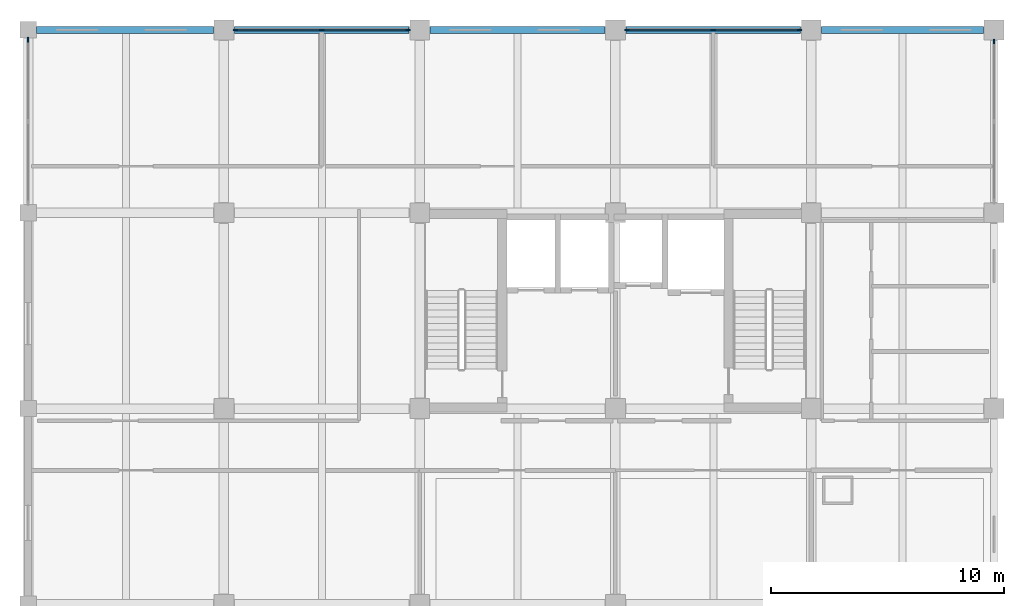
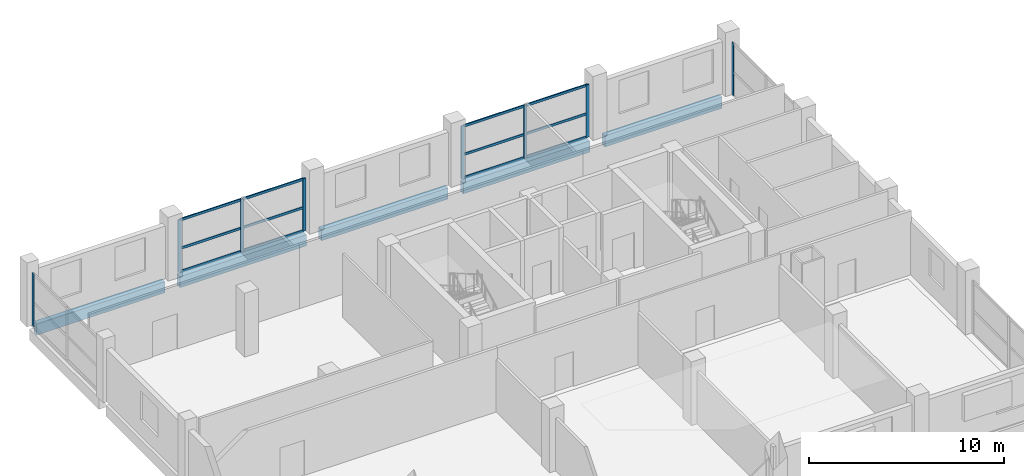
# One storey, part 5 of 11: 20 members, 5 beams, 4 elements without a shape of their own.
"""IFC4 building model written with IfcOpenShell, lengths in metres."""

from ifc_helpers import new_model, si_unit, direction, frame, origin, origin_2d, place, context, subcontext, project, spatial, rectangle, extrude, material, material_profile, profile_set, type_object, element, aggregate, save


model = new_model("IFC4")

# Units and contexts
model_context = context("Model", 3, precision=1e-05, world=origin(), true_north=direction((0.0, 1.0)))
body_context = subcontext(model_context, "Body", "Model", "MODEL_VIEW")
ifc_project = project(units=[si_unit("LENGTHUNIT", "METRE"), si_unit("AREAUNIT", "SQUARE_METRE"), si_unit("VOLUMEUNIT", "CUBIC_METRE"), si_unit("PLANEANGLEUNIT", "RADIAN"), si_unit("MASSUNIT", "GRAM", prefix="KILO")], contexts=[model_context])

# Site, building, storey
site_placement = place(None, origin())
site = spatial("IfcSite", under=ifc_project, at=site_placement, CompositionType="ELEMENT")
building_placement = place(site_placement, origin())
building = spatial("IfcBuilding", under=site, at=building_placement, Name="Brinegate Botanical Conservatory", CompositionType="ELEMENT")
storey_placement = place(building_placement, frame((0.0, 0.0, 23.39990234375)))
storey = spatial("IfcBuildingStorey", under=building, at=storey_placement, Name="L06", CompositionType="ELEMENT", Elevation=23.39990234375)

# Beams
ifc_material_1 = material(Name="Concrete C40/50", Category="concrete")
ifc_material_profile_1 = material_profile(ifc_material_1, rectangle(XDim=0.300048828125, YDim=0.699951171875, at=origin_2d()), Name="RC SPN 300x700")
ifc_profile_set_1 = profile_set([ifc_material_profile_1], Name="Concrete C40/50")
beam_type = type_object("IfcBeamType", Name="Beam_SP-02", PredefinedType="SPANDREL", material=ifc_profile_set_1)
beam_1_placement = place(storey_placement, frame((122.35009765625, 111.449951171875, -0.52978515625), z_axis=(1.0, 0.0, 0.0), x_axis=(0.0, 1.0, 0.0)))
element("IfcBeam", 1, at=beam_1_placement, inside=storey, type_object=beam_type, Name="Beam SP-02 L06 P:16-17", PredefinedType="SPANDREL", context=body_context, shape_type="SweptSolid", body=[
    extrude(rectangle(XDim=0.300048828125, YDim=0.699951171875, at=origin_2d()), origin(), (0.0, 0.0, 1.0), 7.599853515625),
])
for number, where, z_axis, x_axis, name in (
    (2, (130.85009765625, 111.449951171875, -0.52978515625), (1.0, 0.0, 0.0), (0.0, 1.0, 0.0), "Beam SP-02 L06 P:17-18"),
    (3, (139.25, 111.449951171875, -0.52978515625), (1.0, 0.0, 0.0), (0.0, 1.0, 0.0), "Beam SP-02 L06 P:18-19"),
    (4, (147.64990234375, 111.449951171875, -0.52978515625), (1.0, 0.0, 0.0), (0.0, 1.0, 0.0), "Beam SP-02 L06 P:19-20"),
):
    element("IfcBeam", number, at=place(storey_placement, frame(where, z_axis=z_axis, x_axis=x_axis)), inside=storey, type_object=beam_type, Name=name, PredefinedType="SPANDREL", context=body_context, shape_type="SweptSolid", body=[
        extrude(rectangle(XDim=0.300048828125, YDim=0.699951171875, at=origin_2d()), origin(), (0.0, 0.0, 1.0), 7.5),
    ])
beam_2_placement = place(storey_placement, frame((156.050048828125, 111.449951171875, -0.52978515625), z_axis=(1.0, 0.0, 0.0), x_axis=(0.0, 1.0, 0.0)))
element("IfcBeam", 5, at=beam_2_placement, inside=storey, type_object=beam_type, Name="Beam SP-02 L06 P:20-21", PredefinedType="SPANDREL", context=body_context, shape_type="SweptSolid", body=[
    extrude(rectangle(XDim=0.300048828125, YDim=0.699951171875, at=origin_2d()), origin(), (0.0, 0.0, 1.0), 6.949951171875),
])

# Curtain wall, members
ifc_material_2 = material(Name="Thermally broken anodised aluminium AW-6063-T6", Category="aluminium")
curtain_wall_type = type_object("IfcCurtainWallType", Name="CW_CW-TW1", PredefinedType="USERDEFINED", material=ifc_material_2)
curtain_wall_1_placement = place(storey_placement, origin())
curtain_wall_1 = element("IfcCurtainWall", 6, at=curtain_wall_1_placement, inside=storey, type_object=curtain_wall_type, Name="Research lab north curtain wall L06.2", ObjectType="FACTORY CURTAIN WALL", PredefinedType="USERDEFINED")
ifc_material_profile_2 = material_profile(ifc_material_2, rectangle(XDim=0.070068359375, YDim=0.199951171875, at=origin_2d()), Name="ALUM MULLION 70x200")
ifc_profile_set_2 = profile_set([ifc_material_profile_2], Name="Thermally broken anodised aluminium AW-6063-T6")
member_type_1 = type_object("IfcMemberType", Name="Member_ML-03", PredefinedType="MULLION", material=ifc_profile_set_2)
member_1_placement = place(storey_placement, frame((130.89990234375, 111.449951171875, 0.0), z_axis=(0.0, 0.0, 1.0), x_axis=(0.0, 1.0, 0.0)))
member_1 = element("IfcMember", 7, at=member_1_placement, type_object=member_type_1, Name="CW-TW1 mullion 1", PredefinedType="MULLION", context=body_context, shape_type="SweptSolid", body=[
    extrude(rectangle(XDim=0.070068359375, YDim=0.199951171875, at=origin_2d()), origin(), (0.0, 0.0, 1.0), 3.300048828125),
])
member_2_placement = place(storey_placement, frame((134.60009765625, 111.449951171875, 0.0), z_axis=(0.0, 0.0, 1.0), x_axis=(0.0, 1.0, 0.0)))
member_2 = element("IfcMember", 8, at=member_2_placement, type_object=member_type_1, Name="CW-TW1 mullion 2", PredefinedType="MULLION", context=body_context, shape_type="SweptSolid", body=[
    extrude(rectangle(XDim=0.070068359375, YDim=0.199951171875, at=origin_2d()), origin(), (0.0, 0.0, 1.0), 3.300048828125),
])
member_3_placement = place(storey_placement, frame((138.300048828125, 111.449951171875, 0.0), z_axis=(0.0, 0.0, 1.0), x_axis=(0.0, 1.0, 0.0)))
member_3 = element("IfcMember", 9, at=member_3_placement, type_object=member_type_1, Name="CW-TW1 mullion 3", PredefinedType="MULLION", context=body_context, shape_type="SweptSolid", body=[
    extrude(rectangle(XDim=0.070068359375, YDim=0.199951171875, at=origin_2d()), origin(), (0.0, 0.0, 1.0), 3.300048828125),
])

curtain_wall_2_placement = place(storey_placement, origin())
curtain_wall_2 = element("IfcCurtainWall", 10, at=curtain_wall_2_placement, inside=storey, type_object=curtain_wall_type, Name="Research lab north curtain wall L06.4", ObjectType="FACTORY CURTAIN WALL", PredefinedType="USERDEFINED")
member_4_placement = place(storey_placement, frame((147.699951171875, 111.449951171875, 0.0), z_axis=(0.0, 0.0, 1.0), x_axis=(0.0, 1.0, 0.0)))
member_4 = element("IfcMember", 11, at=member_4_placement, type_object=member_type_1, Name="CW-TW1 mullion 1", PredefinedType="MULLION", context=body_context, shape_type="SweptSolid", body=[
    extrude(rectangle(XDim=0.070068359375, YDim=0.199951171875, at=origin_2d()), origin(), (0.0, 0.0, 1.0), 3.300048828125),
])
member_5_placement = place(storey_placement, frame((151.39990234375, 111.449951171875, 0.0), z_axis=(0.0, 0.0, 1.0), x_axis=(0.0, 1.0, 0.0)))
member_5 = element("IfcMember", 12, at=member_5_placement, type_object=member_type_1, Name="CW-TW1 mullion 2", PredefinedType="MULLION", context=body_context, shape_type="SweptSolid", body=[
    extrude(rectangle(XDim=0.070068359375, YDim=0.199951171875, at=origin_2d()), origin(), (0.0, 0.0, 1.0), 3.300048828125),
])
member_6_placement = place(storey_placement, frame((155.10009765625, 111.449951171875, 0.0), z_axis=(0.0, 0.0, 1.0), x_axis=(0.0, 1.0, 0.0)))
member_6 = element("IfcMember", 13, at=member_6_placement, type_object=member_type_1, Name="CW-TW1 mullion 3", PredefinedType="MULLION", context=body_context, shape_type="SweptSolid", body=[
    extrude(rectangle(XDim=0.070068359375, YDim=0.199951171875, at=origin_2d()), origin(), (0.0, 0.0, 1.0), 3.300048828125),
])

# Curtain wall, member
curtain_wall_3_placement = place(storey_placement, origin())
curtain_wall_3 = element("IfcCurtainWall", 14, at=curtain_wall_3_placement, inside=storey, type_object=curtain_wall_type, Name="Tower east curtain wall L06.4", ObjectType="FACTORY CURTAIN WALL", PredefinedType="USERDEFINED")
member_7_placement = place(storey_placement, frame((163.449951171875, 110.949951171875, 0.0), z_axis=(0.0, 0.0, 1.0), x_axis=(1.0, 0.0, 0.0)))
member_7 = element("IfcMember", 15, at=member_7_placement, type_object=member_type_1, Name="CW-TW1 mullion 1", PredefinedType="MULLION", context=body_context, shape_type="SweptSolid", body=[
    extrude(rectangle(XDim=0.070068359375, YDim=0.199951171875, at=origin_2d()), origin(), (0.0, 0.0, 1.0), 3.300048828125),
])
aggregate(curtain_wall_3, [member_7])

curtain_wall_4_placement = place(storey_placement, origin())
curtain_wall_4 = element("IfcCurtainWall", 16, at=curtain_wall_4_placement, inside=storey, type_object=curtain_wall_type, Name="Tower north-west curtain wall L06", ObjectType="FACTORY CURTAIN WALL", PredefinedType="USERDEFINED")
member_8_placement = place(storey_placement, frame((122.0, 111.02490234375, 0.0), z_axis=(0.0, 0.0, 1.0), x_axis=(-1.0, 0.0, 0.0)))
member_8 = element("IfcMember", 17, at=member_8_placement, type_object=member_type_1, Name="CW-TW1 mullion 3", PredefinedType="MULLION", context=body_context, shape_type="SweptSolid", body=[
    extrude(rectangle(XDim=0.070068359375, YDim=0.199951171875, at=origin_2d()), origin(), (0.0, 0.0, 1.0), 3.300048828125),
])
aggregate(curtain_wall_4, [member_8])

# Member
ifc_material_profile_3 = material_profile(ifc_material_2, rectangle(XDim=0.070068359375, YDim=0.14990234375, at=origin_2d()), Name="ALUM TRANSOM 70x150")
ifc_profile_set_3 = profile_set([ifc_material_profile_3], Name="Thermally broken anodised aluminium AW-6063-T6")
member_type_2 = type_object("IfcMemberType", Name="Member_TR-03", PredefinedType="USERDEFINED", material=ifc_profile_set_3)
member_9_placement = place(storey_placement, frame((130.93505859375, 111.449951171875, 0.03515625), z_axis=(1.0, 0.0, 0.0), x_axis=(0.0, 1.0, 0.0)))
member_9 = element("IfcMember", 18, at=member_9_placement, type_object=member_type_2, Name="CW-TW1 transom 1.1", ObjectType="TRANSOM", PredefinedType="USERDEFINED", context=body_context, shape_type="SweptSolid", body=[
    extrude(rectangle(XDim=0.070068359375, YDim=0.14990234375, at=origin_2d()), origin(), (0.0, 0.0, 1.0), 3.6298828125),
])

member_10_placement = place(storey_placement, frame((130.93505859375, 111.449951171875, 1.485107421875), z_axis=(1.0, 0.0, 0.0), x_axis=(0.0, 1.0, 0.0)))
member_10 = element("IfcMember", 19, at=member_10_placement, type_object=member_type_2, Name="CW-TW1 transom 1.2", ObjectType="TRANSOM", PredefinedType="USERDEFINED", context=body_context, shape_type="SweptSolid", body=[
    extrude(rectangle(XDim=0.070068359375, YDim=0.14990234375, at=origin_2d()), origin(), (0.0, 0.0, 1.0), 3.6298828125),
])

member_11_placement = place(storey_placement, frame((130.93505859375, 111.449951171875, 3.26513671875), z_axis=(1.0, 0.0, 0.0), x_axis=(0.0, 1.0, 0.0)))
member_11 = element("IfcMember", 20, at=member_11_placement, type_object=member_type_2, Name="CW-TW1 transom 1.3", ObjectType="TRANSOM", PredefinedType="USERDEFINED", context=body_context, shape_type="SweptSolid", body=[
    extrude(rectangle(XDim=0.070068359375, YDim=0.14990234375, at=origin_2d()), origin(), (0.0, 0.0, 1.0), 3.6298828125),
])

member_12_placement = place(storey_placement, frame((134.635009765625, 111.449951171875, 0.03515625), z_axis=(1.0, 0.0, 0.0), x_axis=(0.0, 1.0, 0.0)))
member_12 = element("IfcMember", 21, at=member_12_placement, type_object=member_type_2, Name="CW-TW1 transom 2.1", ObjectType="TRANSOM", PredefinedType="USERDEFINED", context=body_context, shape_type="SweptSolid", body=[
    extrude(rectangle(XDim=0.070068359375, YDim=0.14990234375, at=origin_2d()), origin(), (0.0, 0.0, 1.0), 3.6298828125),
])

member_13_placement = place(storey_placement, frame((134.635009765625, 111.449951171875, 1.485107421875), z_axis=(1.0, 0.0, 0.0), x_axis=(0.0, 1.0, 0.0)))
member_13 = element("IfcMember", 22, at=member_13_placement, type_object=member_type_2, Name="CW-TW1 transom 2.2", ObjectType="TRANSOM", PredefinedType="USERDEFINED", context=body_context, shape_type="SweptSolid", body=[
    extrude(rectangle(XDim=0.070068359375, YDim=0.14990234375, at=origin_2d()), origin(), (0.0, 0.0, 1.0), 3.6298828125),
])

member_14_placement = place(storey_placement, frame((134.635009765625, 111.449951171875, 3.26513671875), z_axis=(1.0, 0.0, 0.0), x_axis=(0.0, 1.0, 0.0)))
member_14 = element("IfcMember", 23, at=member_14_placement, type_object=member_type_2, Name="CW-TW1 transom 2.3", ObjectType="TRANSOM", PredefinedType="USERDEFINED", context=body_context, shape_type="SweptSolid", body=[
    extrude(rectangle(XDim=0.070068359375, YDim=0.14990234375, at=origin_2d()), origin(), (0.0, 0.0, 1.0), 3.6298828125),
])

aggregate(curtain_wall_1, [member_1, member_2, member_3, member_9, member_10, member_11, member_12, member_13, member_14])

member_15_placement = place(storey_placement, frame((147.735107421875, 111.449951171875, 0.03515625), z_axis=(1.0, 0.0, 0.0), x_axis=(0.0, 1.0, 0.0)))
member_15 = element("IfcMember", 24, at=member_15_placement, type_object=member_type_2, Name="CW-TW1 transom 1.1", ObjectType="TRANSOM", PredefinedType="USERDEFINED", context=body_context, shape_type="SweptSolid", body=[
    extrude(rectangle(XDim=0.070068359375, YDim=0.14990234375, at=origin_2d()), origin(), (0.0, 0.0, 1.0), 3.6298828125),
])

member_16_placement = place(storey_placement, frame((147.735107421875, 111.449951171875, 1.485107421875), z_axis=(1.0, 0.0, 0.0), x_axis=(0.0, 1.0, 0.0)))
member_16 = element("IfcMember", 25, at=member_16_placement, type_object=member_type_2, Name="CW-TW1 transom 1.2", ObjectType="TRANSOM", PredefinedType="USERDEFINED", context=body_context, shape_type="SweptSolid", body=[
    extrude(rectangle(XDim=0.070068359375, YDim=0.14990234375, at=origin_2d()), origin(), (0.0, 0.0, 1.0), 3.6298828125),
])

member_17_placement = place(storey_placement, frame((147.735107421875, 111.449951171875, 3.26513671875), z_axis=(1.0, 0.0, 0.0), x_axis=(0.0, 1.0, 0.0)))
member_17 = element("IfcMember", 26, at=member_17_placement, type_object=member_type_2, Name="CW-TW1 transom 1.3", ObjectType="TRANSOM", PredefinedType="USERDEFINED", context=body_context, shape_type="SweptSolid", body=[
    extrude(rectangle(XDim=0.070068359375, YDim=0.14990234375, at=origin_2d()), origin(), (0.0, 0.0, 1.0), 3.6298828125),
])

member_18_placement = place(storey_placement, frame((151.43505859375, 111.449951171875, 0.03515625), z_axis=(1.0, 0.0, 0.0), x_axis=(0.0, 1.0, 0.0)))
member_18 = element("IfcMember", 27, at=member_18_placement, type_object=member_type_2, Name="CW-TW1 transom 2.1", ObjectType="TRANSOM", PredefinedType="USERDEFINED", context=body_context, shape_type="SweptSolid", body=[
    extrude(rectangle(XDim=0.070068359375, YDim=0.14990234375, at=origin_2d()), origin(), (0.0, 0.0, 1.0), 3.6298828125),
])

member_19_placement = place(storey_placement, frame((151.43505859375, 111.449951171875, 1.485107421875), z_axis=(1.0, 0.0, 0.0), x_axis=(0.0, 1.0, 0.0)))
member_19 = element("IfcMember", 28, at=member_19_placement, type_object=member_type_2, Name="CW-TW1 transom 2.2", ObjectType="TRANSOM", PredefinedType="USERDEFINED", context=body_context, shape_type="SweptSolid", body=[
    extrude(rectangle(XDim=0.070068359375, YDim=0.14990234375, at=origin_2d()), origin(), (0.0, 0.0, 1.0), 3.6298828125),
])

member_20_placement = place(storey_placement, frame((151.43505859375, 111.449951171875, 3.26513671875), z_axis=(1.0, 0.0, 0.0), x_axis=(0.0, 1.0, 0.0)))
member_20 = element("IfcMember", 29, at=member_20_placement, type_object=member_type_2, Name="CW-TW1 transom 2.3", ObjectType="TRANSOM", PredefinedType="USERDEFINED", context=body_context, shape_type="SweptSolid", body=[
    extrude(rectangle(XDim=0.070068359375, YDim=0.14990234375, at=origin_2d()), origin(), (0.0, 0.0, 1.0), 3.6298828125),
])

aggregate(curtain_wall_2, [member_4, member_5, member_6, member_15, member_16, member_17, member_18, member_19, member_20])

save(model, "model.ifc")
